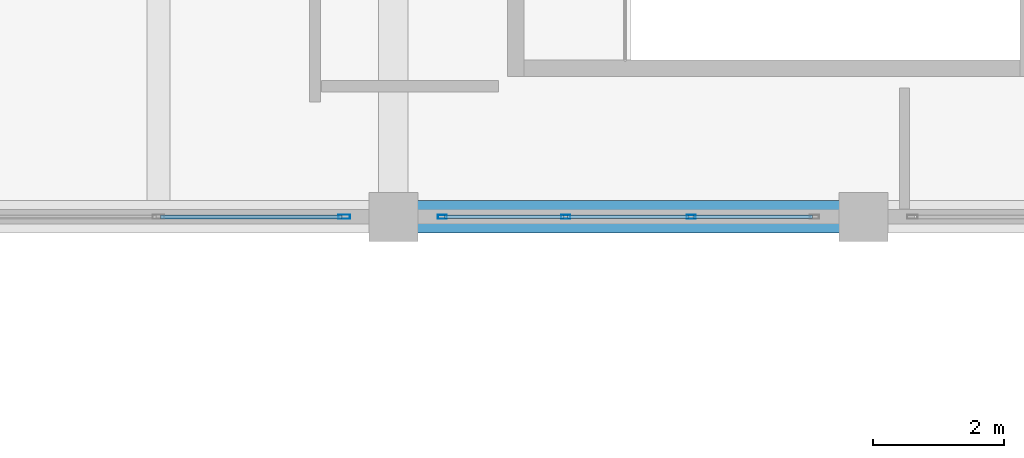
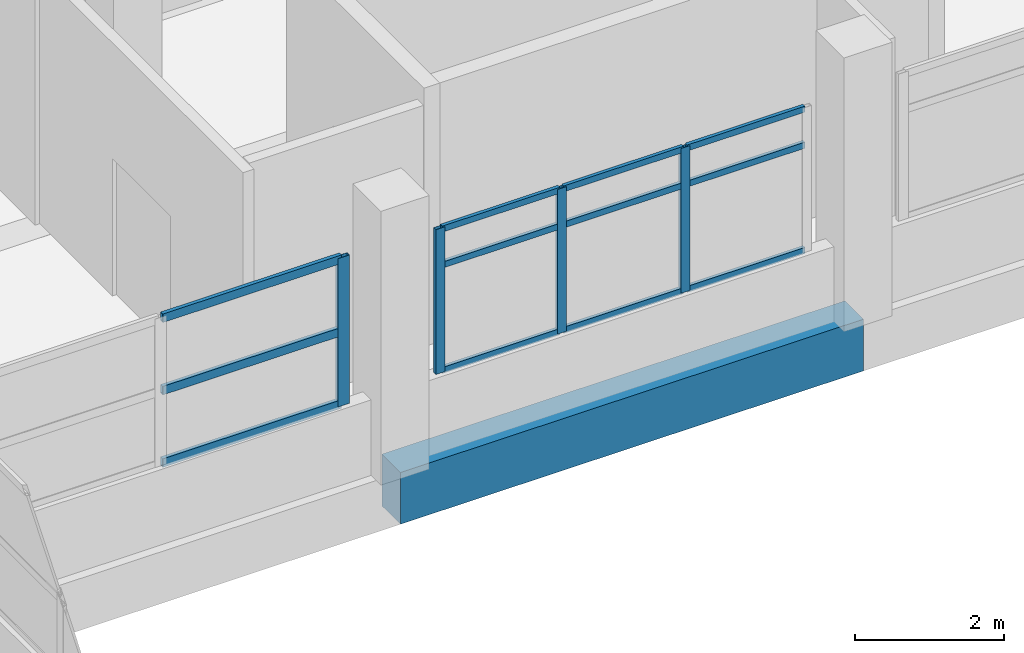
# One storey, part 70 of 141: 16 members, 1 beam, 2 elements without a shape of their own.
"""IFC4 building model written with IfcOpenShell, lengths in metres."""

from ifc_helpers import new_model, si_unit, direction, frame, origin, origin_2d, place, context, subcontext, project, spatial, rectangle, hollow_rectangle, extrude, material, layer, layer_set, material_profile, profile_set, type_object, element, aggregate, save


model = new_model("IFC4")

# Units and contexts
model_context = context("Model", 3, precision=1e-05, world=origin(), true_north=direction((0.0, 1.0)))
body_context = subcontext(model_context, "Body", "Model", "MODEL_VIEW")
ifc_project = project(units=[si_unit("LENGTHUNIT", "METRE"), si_unit("AREAUNIT", "SQUARE_METRE"), si_unit("VOLUMEUNIT", "CUBIC_METRE"), si_unit("PLANEANGLEUNIT", "RADIAN"), si_unit("MASSUNIT", "GRAM", prefix="KILO")], contexts=[model_context])

# Site, building, storey
site_placement = place(None, origin())
site = spatial("IfcSite", under=ifc_project, at=site_placement, CompositionType="ELEMENT")
building_placement = place(site_placement, origin())
building = spatial("IfcBuilding", under=site, at=building_placement, Name="Seraya Terrace Polytechnic", CompositionType="ELEMENT")
storey_placement = place(building_placement, frame((0.0, 0.0, 14.39990234375)))
storey = spatial("IfcBuildingStorey", under=building, at=storey_placement, Name="L03", CompositionType="ELEMENT", Elevation=14.39990234375)

# Beam
ifc_material_1 = material(Name="Concrete C40/50", Category="concrete")
ifc_material_profile_1 = material_profile(ifc_material_1, rectangle(XDim=0.5, YDim=0.85009765625, at=origin_2d()), Name="RC 500x850")
ifc_profile_set_1 = profile_set([ifc_material_profile_1], Name="Concrete C40/50")
beam_type = type_object("IfcBeamType", Name="BM-05", PredefinedType="BEAM", material=ifc_profile_set_1)
beam_placement = place(storey_placement, frame((50.39990234375, 64.800048828125, -0.4248046875), z_axis=(1.0, 0.0, 0.0), x_axis=(0.0, 1.0, 0.0)))
element("IfcBeam", 1, at=beam_placement, inside=storey, type_object=beam_type, Name="Beam BM-05 L03 X (50.4..57.6, 64.8)", PredefinedType="BEAM", context=body_context, shape_type="SweptSolid", body=[
    extrude(rectangle(XDim=0.5, YDim=0.85009765625, at=origin_2d()), origin(), (0.0, 0.0, 1.0), 7.2001953125),
])

# Curtain wall, member
ifc_material_2 = material(Name="Anodised aluminium EN AW-6063 T6", Category="aluminium")
ifc_layer_1 = layer(ifc_material_2, 0.179931640625, Name="CW-01")
ifc_layer_set_1 = layer_set([ifc_layer_1], Name="Anodised aluminium EN AW-6063 T6")
curtain_wall_type_1 = type_object("IfcCurtainWallType", Name="CW-01", PredefinedType="NOTDEFINED", material=ifc_layer_set_1)
curtain_wall_1_placement = place(storey_placement, origin())
curtain_wall_1 = element("IfcCurtainWall", 2, at=curtain_wall_1_placement, inside=storey, type_object=curtain_wall_type_1, Name="Unitised curtain wall CW-01 (CW-L03-145)", PredefinedType="NOTDEFINED")
ifc_material_profile_2 = material_profile(ifc_material_2, hollow_rectangle(XDim=0.06494140625, YDim=0.179931640625, WallThickness=0.00390625, at=origin_2d()), Name="RHS 180x65x4.0")
ifc_profile_set_2 = profile_set([ifc_material_profile_2], Name="Anodised aluminium EN AW-6063 T6")
member_type_1 = type_object("IfcMemberType", Name="CWM-01", PredefinedType="MULLION", material=ifc_profile_set_2)
member_1_placement = place(storey_placement, frame((49.6474609375, 64.800048828125, 1.239990234375), z_axis=(0.0, 0.0, 1.0), x_axis=(0.0, -1.0, 0.0)))
member_1 = element("IfcMember", 3, at=member_1_placement, type_object=member_type_1, Name="CW-01 mullion 1", PredefinedType="MULLION", context=body_context, shape_type="SweptSolid", body=[
    extrude(hollow_rectangle(XDim=0.06494140625, YDim=0.179931640625, WallThickness=0.00390625, at=origin_2d()), origin(), (0.0, 0.0, 1.0), 2.440185546875),
])

# Curtain wall, members
ifc_layer_2 = layer(ifc_material_2, 0.179931640625, Name="CW-36")
ifc_layer_set_2 = layer_set([ifc_layer_2], Name="Anodised aluminium EN AW-6063 T6")
curtain_wall_type_2 = type_object("IfcCurtainWallType", Name="CW-36", PredefinedType="NOTDEFINED", material=ifc_layer_set_2)
curtain_wall_2_placement = place(storey_placement, origin())
curtain_wall_2 = element("IfcCurtainWall", 4, at=curtain_wall_2_placement, inside=storey, type_object=curtain_wall_type_2, Name="Unitised curtain wall CW-36 (CW-L03-144)", PredefinedType="NOTDEFINED")
ifc_material_profile_3 = material_profile(ifc_material_2, hollow_rectangle(XDim=0.06005859375, YDim=0.139892578125, WallThickness=0.00341796875, at=origin_2d()), Name="RHS 140x60x3.5")
ifc_profile_set_3 = profile_set([ifc_material_profile_3], Name="Anodised aluminium EN AW-6063 T6")
member_type_2 = type_object("IfcMemberType", Name="CWM-03", PredefinedType="MULLION", material=ifc_profile_set_3)
member_2_placement = place(storey_placement, frame((54.9599609375, 64.800048828125, 1.239990234375), z_axis=(0.0, 0.0, 1.0), x_axis=(0.0, -1.0, 0.0)))
member_2 = element("IfcMember", 5, at=member_2_placement, type_object=member_type_2, Name="CW-36 mullion 2", PredefinedType="MULLION", context=body_context, shape_type="SweptSolid", body=[
    extrude(hollow_rectangle(XDim=0.06005859375, YDim=0.139892578125, WallThickness=0.00341796875, at=origin_2d()), origin(), (0.0, 0.0, 1.0), 2.380126953125),
])
member_3_placement = place(storey_placement, frame((53.0400390625, 64.800048828125, 1.239990234375), z_axis=(0.0, 0.0, 1.0), x_axis=(0.0, -1.0, 0.0)))
member_3 = element("IfcMember", 6, at=member_3_placement, type_object=member_type_2, Name="CW-36 mullion 3", PredefinedType="MULLION", context=body_context, shape_type="SweptSolid", body=[
    extrude(hollow_rectangle(XDim=0.06005859375, YDim=0.139892578125, WallThickness=0.00341796875, at=origin_2d()), origin(), (0.0, 0.0, 1.0), 2.380126953125),
])
member_4_placement = place(storey_placement, frame((51.14990234375, 64.800048828125, 1.239990234375), z_axis=(0.0, 0.0, 1.0), x_axis=(0.0, -1.0, 0.0)))
member_4 = element("IfcMember", 7, at=member_4_placement, type_object=member_type_2, Name="CW-36 mullion 4", PredefinedType="MULLION", context=body_context, shape_type="SweptSolid", body=[
    extrude(hollow_rectangle(XDim=0.06005859375, YDim=0.139892578125, WallThickness=0.00341796875, at=origin_2d()), origin(), (0.0, 0.0, 1.0), 2.380126953125),
])

# Member
ifc_material_profile_4 = material_profile(ifc_material_2, hollow_rectangle(XDim=0.06005859375, YDim=0.139892578125, WallThickness=0.00341796875, at=origin_2d()), Name="RHS 140x60x3.5")
ifc_profile_set_4 = profile_set([ifc_material_profile_4], Name="Anodised aluminium EN AW-6063 T6")
member_type_3 = type_object("IfcMemberType", Name="CWT-01", PredefinedType="USERDEFINED", material=ifc_profile_set_4)
member_5_placement = place(storey_placement, frame((49.614990234375, 64.800048828125, 1.27001953125), z_axis=(-1.0, 0.0, 0.0), x_axis=(0.0, -1.0, 0.0)))
member_5 = element("IfcMember", 8, at=member_5_placement, type_object=member_type_3, Name="CW-01 transom 1.1", ObjectType="TRANSOM", PredefinedType="USERDEFINED", context=body_context, shape_type="SweptSolid", body=[
    extrude(hollow_rectangle(XDim=0.06005859375, YDim=0.139892578125, WallThickness=0.00341796875, at=origin_2d()), origin(), (0.0, 0.0, 1.0), 2.782470703125),
])

member_6_placement = place(storey_placement, frame((49.614990234375, 64.800048828125, 2.460205078125), z_axis=(-1.0, 0.0, 0.0), x_axis=(0.0, -1.0, 0.0)))
member_6 = element("IfcMember", 9, at=member_6_placement, type_object=member_type_3, Name="CW-01 transom 1.2", ObjectType="TRANSOM", PredefinedType="USERDEFINED", context=body_context, shape_type="SweptSolid", body=[
    extrude(hollow_rectangle(XDim=0.06005859375, YDim=0.139892578125, WallThickness=0.00341796875, at=origin_2d()), origin(), (0.0, 0.0, 1.0), 2.782470703125),
])

member_7_placement = place(storey_placement, frame((49.614990234375, 64.800048828125, 3.650146484375), z_axis=(-1.0, 0.0, 0.0), x_axis=(0.0, -1.0, 0.0)))
member_7 = element("IfcMember", 10, at=member_7_placement, type_object=member_type_3, Name="CW-01 transom 1.3", ObjectType="TRANSOM", PredefinedType="USERDEFINED", context=body_context, shape_type="SweptSolid", body=[
    extrude(hollow_rectangle(XDim=0.06005859375, YDim=0.139892578125, WallThickness=0.00341796875, at=origin_2d()), origin(), (0.0, 0.0, 1.0), 2.782470703125),
])

aggregate(curtain_wall_1, [member_1, member_5, member_6, member_7])

ifc_material_profile_5 = material_profile(ifc_material_2, hollow_rectangle(XDim=0.054931640625, YDim=0.10009765625, WallThickness=0.0029296875, at=origin_2d()), Name="RHS 100x55x3.0")
ifc_profile_set_5 = profile_set([ifc_material_profile_5], Name="Anodised aluminium EN AW-6063 T6")
member_type_4 = type_object("IfcMemberType", Name="CWT-03", PredefinedType="USERDEFINED", material=ifc_profile_set_5)
member_8_placement = place(storey_placement, frame((56.820068359375, 64.800048828125, 1.267578125), z_axis=(-1.0, 0.0, 0.0), x_axis=(0.0, -1.0, 0.0)))
member_8 = element("IfcMember", 11, at=member_8_placement, type_object=member_type_4, Name="CW-36 transom 1.1", ObjectType="TRANSOM", PredefinedType="USERDEFINED", context=body_context, shape_type="SweptSolid", body=[
    extrude(hollow_rectangle(XDim=0.054931640625, YDim=0.10009765625, WallThickness=0.0029296875, at=origin_2d()), origin(), (0.0, 0.0, 1.0), 1.830078125),
])

member_9_placement = place(storey_placement, frame((56.820068359375, 64.800048828125, 3.0), z_axis=(-1.0, 0.0, 0.0), x_axis=(0.0, -1.0, 0.0)))
member_9 = element("IfcMember", 12, at=member_9_placement, type_object=member_type_4, Name="CW-36 transom 1.2", ObjectType="TRANSOM", PredefinedType="USERDEFINED", context=body_context, shape_type="SweptSolid", body=[
    extrude(hollow_rectangle(XDim=0.054931640625, YDim=0.10009765625, WallThickness=0.0029296875, at=origin_2d()), origin(), (0.0, 0.0, 1.0), 1.830078125),
])

member_10_placement = place(storey_placement, frame((56.820068359375, 64.800048828125, 3.592529296875), z_axis=(-1.0, 0.0, 0.0), x_axis=(0.0, -1.0, 0.0)))
member_10 = element("IfcMember", 13, at=member_10_placement, type_object=member_type_4, Name="CW-36 transom 1.3", ObjectType="TRANSOM", PredefinedType="USERDEFINED", context=body_context, shape_type="SweptSolid", body=[
    extrude(hollow_rectangle(XDim=0.054931640625, YDim=0.10009765625, WallThickness=0.0029296875, at=origin_2d()), origin(), (0.0, 0.0, 1.0), 1.830078125),
])

member_11_placement = place(storey_placement, frame((54.929931640625, 64.800048828125, 1.267578125), z_axis=(-1.0, 0.0, 0.0), x_axis=(0.0, -1.0, 0.0)))
member_11 = element("IfcMember", 14, at=member_11_placement, type_object=member_type_4, Name="CW-36 transom 2.1", ObjectType="TRANSOM", PredefinedType="USERDEFINED", context=body_context, shape_type="SweptSolid", body=[
    extrude(hollow_rectangle(XDim=0.054931640625, YDim=0.10009765625, WallThickness=0.0029296875, at=origin_2d()), origin(), (0.0, 0.0, 1.0), 1.85986328125),
])

member_12_placement = place(storey_placement, frame((54.929931640625, 64.800048828125, 3.0), z_axis=(-1.0, 0.0, 0.0), x_axis=(0.0, -1.0, 0.0)))
member_12 = element("IfcMember", 15, at=member_12_placement, type_object=member_type_4, Name="CW-36 transom 2.2", ObjectType="TRANSOM", PredefinedType="USERDEFINED", context=body_context, shape_type="SweptSolid", body=[
    extrude(hollow_rectangle(XDim=0.054931640625, YDim=0.10009765625, WallThickness=0.0029296875, at=origin_2d()), origin(), (0.0, 0.0, 1.0), 1.85986328125),
])

member_13_placement = place(storey_placement, frame((54.929931640625, 64.800048828125, 3.592529296875), z_axis=(-1.0, 0.0, 0.0), x_axis=(0.0, -1.0, 0.0)))
member_13 = element("IfcMember", 16, at=member_13_placement, type_object=member_type_4, Name="CW-36 transom 2.3", ObjectType="TRANSOM", PredefinedType="USERDEFINED", context=body_context, shape_type="SweptSolid", body=[
    extrude(hollow_rectangle(XDim=0.054931640625, YDim=0.10009765625, WallThickness=0.0029296875, at=origin_2d()), origin(), (0.0, 0.0, 1.0), 1.85986328125),
])

member_14_placement = place(storey_placement, frame((53.010009765625, 64.800048828125, 1.267578125), z_axis=(-1.0, 0.0, 0.0), x_axis=(0.0, -1.0, 0.0)))
member_14 = element("IfcMember", 17, at=member_14_placement, type_object=member_type_4, Name="CW-36 transom 3.1", ObjectType="TRANSOM", PredefinedType="USERDEFINED", context=body_context, shape_type="SweptSolid", body=[
    extrude(hollow_rectangle(XDim=0.054931640625, YDim=0.10009765625, WallThickness=0.0029296875, at=origin_2d()), origin(), (0.0, 0.0, 1.0), 1.830078125),
])

member_15_placement = place(storey_placement, frame((53.010009765625, 64.800048828125, 3.0), z_axis=(-1.0, 0.0, 0.0), x_axis=(0.0, -1.0, 0.0)))
member_15 = element("IfcMember", 18, at=member_15_placement, type_object=member_type_4, Name="CW-36 transom 3.2", ObjectType="TRANSOM", PredefinedType="USERDEFINED", context=body_context, shape_type="SweptSolid", body=[
    extrude(hollow_rectangle(XDim=0.054931640625, YDim=0.10009765625, WallThickness=0.0029296875, at=origin_2d()), origin(), (0.0, 0.0, 1.0), 1.830078125),
])

member_16_placement = place(storey_placement, frame((53.010009765625, 64.800048828125, 3.592529296875), z_axis=(-1.0, 0.0, 0.0), x_axis=(0.0, -1.0, 0.0)))
member_16 = element("IfcMember", 19, at=member_16_placement, type_object=member_type_4, Name="CW-36 transom 3.3", ObjectType="TRANSOM", PredefinedType="USERDEFINED", context=body_context, shape_type="SweptSolid", body=[
    extrude(hollow_rectangle(XDim=0.054931640625, YDim=0.10009765625, WallThickness=0.0029296875, at=origin_2d()), origin(), (0.0, 0.0, 1.0), 1.830078125),
])

aggregate(curtain_wall_2, [member_2, member_3, member_4, member_8, member_9, member_10, member_11, member_12, member_13, member_14, member_15, member_16])

save(model, "model.ifc")
